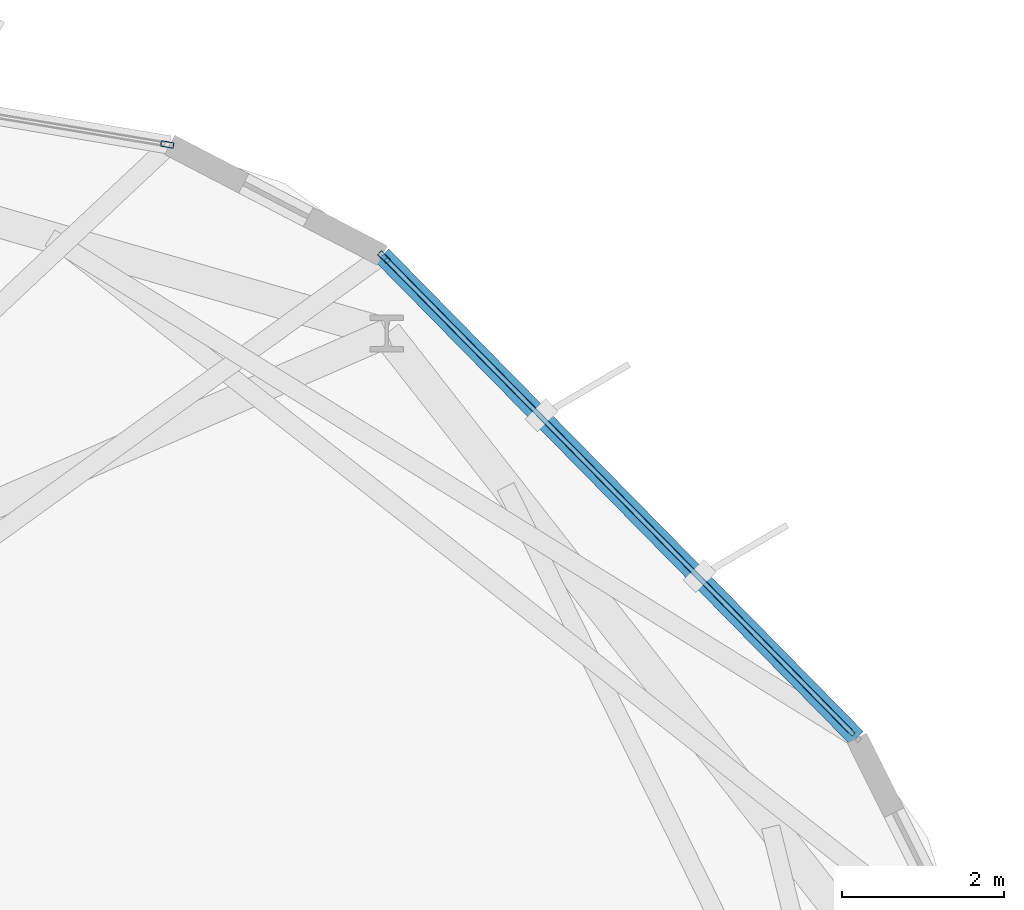
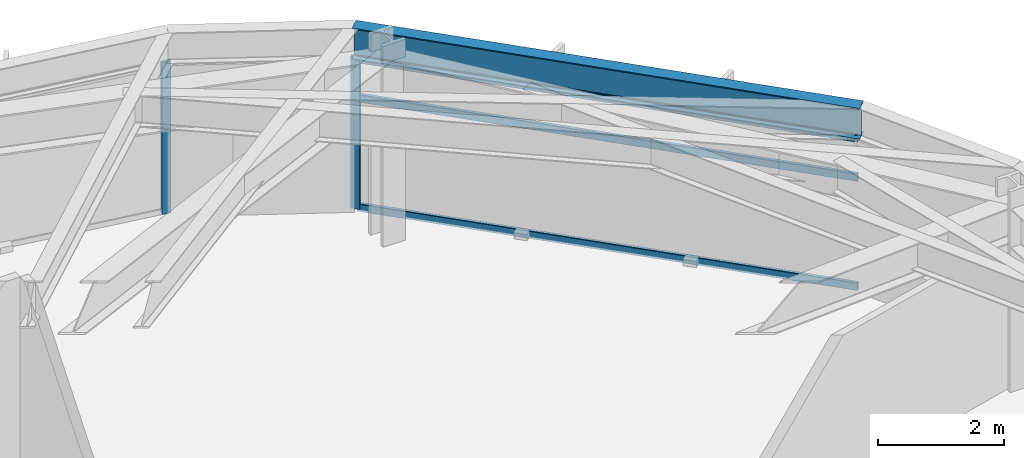
# One storey, part 15 of 22: 5 members, 1 beam, 2 elements without a shape of their own.
"""IFC4 building model written with IfcOpenShell, lengths in metres."""

import ifcopenshell
import ifcopenshell.guid

model = None  # the IFC model being written
_history = None  # IfcOwnerHistory: only IFC2X3 demands one
_inside = {}  # id of a spatial element -> (the spatial element, [elements in it])
_under = {}  # id of a project, library or spatial element -> (it, [spatial elements below it])
_declared = {}  # id of a project -> (the project, [libraries it declares])
_typed = {}  # id of a type object -> (the type object, [elements of that type])
_made_of = {}  # id of a material, layer set ... -> (it, [elements and type objects made of it])


def new_model(schema):
    """Start an empty IFC model of exactly this schema.

    Asked for "IFC4X3", IfcOpenShell would pick the latest addendum, in which some entities
    have other attributes; the version numbers below select the first issue.
    IFC2X3 requires an IfcOwnerHistory on every rooted entity: one is made here for all.
    """
    global model, _history
    if schema == "IFC4X3":
        model = ifcopenshell.file(schema_version=(4, 3, 0, 0))
    else:
        model = ifcopenshell.file(schema=schema)
    _inside.clear()
    _under.clear()
    _declared.clear()
    _typed.clear()
    _made_of.clear()
    _history = None
    if model.schema == "IFC2X3":
        org = make("IfcOrganization", Name="unknown")
        user = make(
            "IfcPersonAndOrganization",
            ThePerson=make("IfcPerson", FamilyName="unknown"),
            TheOrganization=org,
        )
        app = make(
            "IfcApplication",
            ApplicationDeveloper=org,
            Version="unknown",
            ApplicationFullName="unknown",
            ApplicationIdentifier="unknown",
        )
        _history = make(
            "IfcOwnerHistory",
            OwningUser=user,
            OwningApplication=app,
            ChangeAction="ADDED",
            CreationDate=0,
        )
    return model


def make(cls, **values):
    """One entity of the class cls with the attributes given. An attribute that is None is left unset."""
    return model.create_entity(
        cls, **{name: value for name, value in values.items() if value is not None}
    )


def rooted(cls, **values):
    """An entity with a GlobalId (a new one), such as an element, a storey or a relation."""
    return make(cls, GlobalId=ifcopenshell.guid.new(), OwnerHistory=_history, **values)


def si_unit(unit_type, name, prefix=None):
    """IfcSIUnit, for example si_unit("LENGTHUNIT", "METRE", prefix="MILLI")."""
    return make("IfcSIUnit", UnitType=unit_type, Prefix=prefix, Name=name)


def assignment(units):
    """IfcUnitAssignment: the units of a project."""
    return None if units is None else make("IfcUnitAssignment", Units=units)


def point(xyz):
    """IfcCartesianPoint."""
    return None if xyz is None else make("IfcCartesianPoint", Coordinates=xyz)


def direction(xyz):
    """IfcDirection."""
    return None if xyz is None else make("IfcDirection", DirectionRatios=xyz)


def frame(location, z_axis=None, x_axis=None):
    """IfcAxis2Placement3D, a coordinate frame: its origin and axes. An axis left out is left unset."""
    return make(
        "IfcAxis2Placement3D",
        Location=point(location),
        Axis=direction(z_axis),
        RefDirection=direction(x_axis),
    )


def frame_2d(location, x_axis=None):
    """IfcAxis2Placement2D, a coordinate frame in the plane: its origin and x axis."""
    return make(
        "IfcAxis2Placement2D", Location=point(location), RefDirection=direction(x_axis)
    )


def origin():
    """The frame at (0, 0, 0) with its axes left unset."""
    return frame((0.0, 0.0, 0.0))


def origin_2d():
    """The frame at (0, 0) in the plane with its x axis left unset."""
    return frame_2d((0.0, 0.0))


def place(relative_to, where):
    """IfcLocalPlacement: puts the frame where relative to a parent placement (None: the world)."""
    return make(
        "IfcLocalPlacement", PlacementRelTo=relative_to, RelativePlacement=where
    )


def context(
    kind, dimensions, precision=None, world=None, true_north=None, identifier=None
):
    """IfcGeometricRepresentationContext, for example the 3D "Model" context."""
    return make(
        "IfcGeometricRepresentationContext",
        ContextIdentifier=identifier,
        ContextType=kind,
        CoordinateSpaceDimension=dimensions,
        Precision=precision,
        WorldCoordinateSystem=world,
        TrueNorth=true_north,
    )


def subcontext(parent, identifier, kind, view, scale=None):
    """IfcGeometricRepresentationSubContext, for example "Body" below "Model"."""
    return make(
        "IfcGeometricRepresentationSubContext",
        ContextIdentifier=identifier,
        ContextType=kind,
        ParentContext=parent,
        TargetScale=scale,
        TargetView=view,
    )


def project(units=None, contexts=None):
    """IfcProject with its units and contexts."""
    return rooted(
        "IfcProject",
        Name="project",
        RepresentationContexts=contexts,
        UnitsInContext=assignment(units),
    )


def spatial(cls, under=None, at=None, **own):
    """A site, building, storey or space (cls), placed at a placement, below another one or the project."""
    s = rooted(cls, ObjectPlacement=at, **own)
    if under is not None:
        _under.setdefault(under.id(), (under, []))[1].append(s)
    return s


def profile(cls, at=None, kind="AREA", **sizes):
    """A parametric profile (cls). Its sizes go by their IFC names, for example OverallWidth=200.0."""
    return make(cls, ProfileType=kind, Position=at, **sizes)


def hollow_rectangle(**sizes):
    """IfcRectangleHollowProfileDef."""
    return profile("IfcRectangleHollowProfileDef", **sizes)


def i_section(**sizes):
    """IfcIShapeProfileDef."""
    return profile("IfcIShapeProfileDef", **sizes)


def extrude(swept, where, along, depth):
    """IfcExtrudedAreaSolid: the profile swept, set in the frame where, extruded along a direction by depth."""
    return make(
        "IfcExtrudedAreaSolid",
        SweptArea=swept,
        Position=where,
        ExtrudedDirection=direction(along),
        Depth=depth,
    )


def shape(context_of_items, identifier, shape_type, items):
    """IfcShapeRepresentation: the items that make up one representation, for example the "Body"."""
    return make(
        "IfcShapeRepresentation",
        ContextOfItems=context_of_items,
        RepresentationIdentifier=identifier,
        RepresentationType=shape_type,
        Items=items,
    )


def material(Name=None, Category=None):
    """IfcMaterial."""
    return make("IfcMaterial", Name=Name, Category=Category)


def layer(
    of_material, thickness, ventilated=None, Name=None, Category=None, Priority=None
):
    """IfcMaterialLayer: one layer of a wall or slab, of a material (None: an air gap)."""
    return make(
        "IfcMaterialLayer",
        Material=of_material,
        LayerThickness=thickness,
        IsVentilated=ventilated,
        Name=Name,
        Category=Category,
        Priority=Priority,
    )


def layer_set(layers, Name=None):
    """IfcMaterialLayerSet."""
    return make("IfcMaterialLayerSet", MaterialLayers=layers, LayerSetName=Name)


def material_profile(
    of_material, cross_section, Name=None, Category=None, Priority=None
):
    """IfcMaterialProfile: a cross section and its material."""
    return make(
        "IfcMaterialProfile",
        Name=Name,
        Material=of_material,
        Profile=cross_section,
        Priority=Priority,
        Category=Category,
    )


def profile_set(profiles, Name=None, composite=None):
    """IfcMaterialProfileSet."""
    return make(
        "IfcMaterialProfileSet",
        Name=Name,
        MaterialProfiles=profiles,
        CompositeProfile=composite,
    )


def made_of(thing, what):
    """Note that an element or type object is made of a material, layer set ...; save() writes the relation."""
    if what is not None:
        _made_of.setdefault(what.id(), (what, []))[1].append(thing)
    return thing


def type_object(cls, material=None, **own):
    """A type object (cls), such as IfcWallType, which elements share."""
    return made_of(rooted(cls, **own), material)


def element(
    cls,
    number,
    at=None,
    inside=None,
    cuts=None,
    type_object=None,
    material=None,
    context=None,
    identifier="Body",
    shape_type=None,
    held_by="IfcProductDefinitionShape",
    body=None,
    shapes=None,
    **own,
):
    """One element of the class cls, such as IfcWall. Its Tag is "e" and its number.

    at: its placement. inside: the storey or other place that contains it. cuts: it is an
    opening in that element (IfcRelVoidsElement). A single representation is given by context,
    identifier, shape_type and body (its items); several are given by shapes. held_by: the class
    of the entity that holds the representations. save() writes the other relations.
    """
    e = rooted(cls, Tag="e%d" % number, ObjectPlacement=at, **own)
    if body is not None:
        shapes = [shape(context, identifier, shape_type, body)]
    if shapes is not None:
        e.Representation = make(held_by, Representations=shapes)
    if inside is not None:
        _inside.setdefault(inside.id(), (inside, []))[1].append(e)
    if cuts is not None:
        rooted(
            "IfcRelVoidsElement", RelatingBuildingElement=cuts, RelatedOpeningElement=e
        )
    if type_object is not None:
        _typed.setdefault(type_object.id(), (type_object, []))[1].append(e)
    return made_of(e, material)


def aggregate(whole, parts):
    """IfcRelAggregates: a whole, such as a stair, and the parts it consists of."""
    return rooted("IfcRelAggregates", RelatingObject=whole, RelatedObjects=parts)


def save(model, path):
    """Write the relations noted so far, then the file.

    IfcRelAggregates (storeys below a building ...), IfcRelContainedInSpatialStructure (elements
    in a storey), IfcRelDefinesByType, IfcRelAssociatesMaterial and IfcRelDeclares: one each for
    every whole, place, type object, material and project.
    """
    for whole, parts in _under.values():
        aggregate(whole, parts)
    for where, things in _inside.values():
        rooted(
            "IfcRelContainedInSpatialStructure",
            RelatedElements=things,
            RelatingStructure=where,
        )
    for kind, things in _typed.values():
        rooted("IfcRelDefinesByType", RelatedObjects=things, RelatingType=kind)
    for what, things in _made_of.values():
        rooted("IfcRelAssociatesMaterial", RelatedObjects=things, RelatingMaterial=what)
    for by, libraries in _declared.values():
        rooted("IfcRelDeclares", RelatingContext=by, RelatedDefinitions=libraries)
    model.write(path)


model = new_model("IFC4")

# Units and contexts
model_context = context("Model", 3, precision=1e-05, world=origin(), true_north=direction((0.0, 1.0)))
body_context = subcontext(model_context, "Body", "Model", "MODEL_VIEW")
ifc_project = project(units=[si_unit("LENGTHUNIT", "METRE"), si_unit("AREAUNIT", "SQUARE_METRE"), si_unit("VOLUMEUNIT", "CUBIC_METRE"), si_unit("PLANEANGLEUNIT", "RADIAN"), si_unit("MASSUNIT", "GRAM", prefix="KILO")], contexts=[model_context])

# Site, building, storey
site_placement = place(None, origin())
site = spatial("IfcSite", under=ifc_project, at=site_placement, CompositionType="ELEMENT")
building_placement = place(site_placement, origin())
building = spatial("IfcBuilding", under=site, at=building_placement, Name="Soratama Intermodal Tower", CompositionType="ELEMENT")
storey_placement = place(building_placement, frame((0.0, 0.0, 130.300048828125)))
storey = spatial("IfcBuildingStorey", under=building, at=storey_placement, Name="L31", CompositionType="ELEMENT", Elevation=130.300048828125)

# Beam
ifc_material_1 = material(Name="Structural steel ASTM A992 Grade 50", Category="steel")
ifc_material_profile_1 = material_profile(ifc_material_1, i_section(OverallWidth=0.22900390625, OverallDepth=0.612060546875, WebThickness=0.011962890625, FlangeThickness=0.01953125, FilletRadius=0.012939453125, at=origin_2d()), Name="W24X84")
ifc_profile_set_1 = profile_set([ifc_material_profile_1], Name="Structural steel ASTM A992 Grade 50")
beam_type = type_object("IfcBeamType", Name="BM-SPN-W24X84", PredefinedType="SPANDREL", material=ifc_profile_set_1)
beam_placement = place(storey_placement, frame((60.549072265625, 34.4169921875, 3.25390625), z_axis=(-0.701179714577, 0.71298457758, 0.0), x_axis=(-0.71298457758, -0.701179714577, 0.0)))
element("IfcBeam", 1, at=beam_placement, inside=storey, type_object=beam_type, Name="BS-L31-F01", PredefinedType="SPANDREL", context=body_context, shape_type="SweptSolid", body=[
    extrude(i_section(OverallWidth=0.22900390625, OverallDepth=0.612060546875, WebThickness=0.011962890625, FlangeThickness=0.01953125, FilletRadius=0.012939453125, at=origin_2d()), origin(), (0.0, 0.0, 1.0), 8.3759765625),
])

# Curtain wall, member
ifc_material_2 = material(Name="Double-glazed aluminium curtain wall", Category="aluminium")
ifc_layer = layer(ifc_material_2, 0.159912109375)
ifc_layer_set = layer_set([ifc_layer], Name="Double-glazed aluminium curtain wall")
curtain_wall_type = type_object("IfcCurtainWallType", Name="CW-SYS-3", PredefinedType="NOTDEFINED", material=ifc_layer_set)
curtain_wall_1_placement = place(storey_placement, origin())
curtain_wall_1 = element("IfcCurtainWall", 2, at=curtain_wall_1_placement, inside=storey, type_object=curtain_wall_type, Name="L31 Faceted Curtain Wall F01", PredefinedType="NOTDEFINED")
ifc_material_3 = material(Name="Anodised aluminium AA 6063-T6", Category="aluminium")
ifc_material_profile_2 = material_profile(ifc_material_3, hollow_rectangle(XDim=0.070068359375, YDim=0.159912109375, WallThickness=0.0048828125, InnerFilletRadius=0.0048828125, OuterFilletRadius=0.010009765625, at=origin_2d()), Name="CWM160X70X5")
ifc_profile_set_2 = profile_set([ifc_material_profile_2], Name="Anodised aluminium AA 6063-T6")
member_type_1 = type_object("IfcMemberType", Name="MT-CWM-3", PredefinedType="MULLION", material=ifc_profile_set_2)
member_1_placement = place(storey_placement, frame((54.697265625, 40.367919921875, 0.0), z_axis=(0.0, 0.0, 1.0), x_axis=(-0.713009454838, -0.701154417594, 0.0)))
member_1 = element("IfcMember", 3, at=member_1_placement, type_object=member_type_1, Name="CW-3 mullion 2", PredefinedType="MULLION", context=body_context, shape_type="SweptSolid", body=[
    extrude(hollow_rectangle(XDim=0.070068359375, YDim=0.159912109375, WallThickness=0.0048828125, InnerFilletRadius=0.0048828125, OuterFilletRadius=0.010009765625, at=origin_2d()), origin(), (0.0, 0.0, 1.0), 2.93896484375),
])

curtain_wall_2_placement = place(storey_placement, origin())
curtain_wall_2 = element("IfcCurtainWall", 4, at=curtain_wall_2_placement, inside=storey, type_object=curtain_wall_type, Name="L31 Faceted Curtain Wall F02", PredefinedType="NOTDEFINED")
member_2_placement = place(storey_placement, frame((52.014892578125, 41.76318359375, 0.0), z_axis=(0.0, 0.0, 1.0), x_axis=(-0.164704865587, -0.986342895373, 0.0)))
member_2 = element("IfcMember", 5, at=member_2_placement, type_object=member_type_1, Name="CW-3 mullion 1", PredefinedType="MULLION", context=body_context, shape_type="SweptSolid", body=[
    extrude(hollow_rectangle(XDim=0.070068359375, YDim=0.159912109375, WallThickness=0.0048828125, InnerFilletRadius=0.0048828125, OuterFilletRadius=0.010009765625, at=origin_2d()), origin(), (0.0, 0.0, 1.0), 2.93896484375),
])
aggregate(curtain_wall_2, [member_2])

# Member
ifc_material_4 = material(Name="Anodised aluminium AA 6063-T6", Category="aluminium")
ifc_material_profile_3 = material_profile(ifc_material_4, hollow_rectangle(XDim=0.06494140625, YDim=0.14990234375, WallThickness=0.0048828125, InnerFilletRadius=0.0048828125, OuterFilletRadius=0.010009765625, at=origin_2d()), Name="CWT150X65X5")
ifc_profile_set_3 = profile_set([ifc_material_profile_3], Name="Anodised aluminium AA 6063-T6")
member_type_2 = type_object("IfcMemberType", Name="TT-CWT-1", PredefinedType="USERDEFINED", material=ifc_profile_set_3)
member_3_placement = place(storey_placement, frame((60.50732421875, 34.4599609375, 0.030029296875), z_axis=(-0.701168013915, 0.712996084325, 0.0), x_axis=(-0.712996084325, -0.701168013915, 0.0)))
member_3 = element("IfcMember", 6, at=member_3_placement, type_object=member_type_2, Name="CW-3 transom 1.1", ObjectType="TRANSOM", PredefinedType="USERDEFINED", context=body_context, shape_type="SweptSolid", body=[
    extrude(hollow_rectangle(XDim=0.06494140625, YDim=0.14990234375, WallThickness=0.0048828125, InnerFilletRadius=0.0048828125, OuterFilletRadius=0.010009765625, at=origin_2d()), origin(), (0.0, 0.0, 1.0), 8.25634765625),
])

member_4_placement = place(storey_placement, frame((60.50732421875, 34.4599609375, 2.14990234375), z_axis=(-0.701168013915, 0.712996084325, 0.0), x_axis=(-0.712996084325, -0.701168013915, 0.0)))
member_4 = element("IfcMember", 7, at=member_4_placement, type_object=member_type_2, Name="CW-3 transom 1.2", ObjectType="TRANSOM", PredefinedType="USERDEFINED", context=body_context, shape_type="SweptSolid", body=[
    extrude(hollow_rectangle(XDim=0.06494140625, YDim=0.14990234375, WallThickness=0.0048828125, InnerFilletRadius=0.0048828125, OuterFilletRadius=0.010009765625, at=origin_2d()), origin(), (0.0, 0.0, 1.0), 8.25634765625),
])

member_5_placement = place(storey_placement, frame((60.50732421875, 34.4599609375, 2.908935546875), z_axis=(-0.701168013915, 0.712996084325, 0.0), x_axis=(-0.712996084325, -0.701168013915, 0.0)))
member_5 = element("IfcMember", 8, at=member_5_placement, type_object=member_type_2, Name="CW-3 transom 1.3", ObjectType="TRANSOM", PredefinedType="USERDEFINED", context=body_context, shape_type="SweptSolid", body=[
    extrude(hollow_rectangle(XDim=0.06494140625, YDim=0.14990234375, WallThickness=0.0048828125, InnerFilletRadius=0.0048828125, OuterFilletRadius=0.010009765625, at=origin_2d()), origin(), (0.0, 0.0, 1.0), 8.25634765625),
])

aggregate(curtain_wall_1, [member_1, member_3, member_4, member_5])

save(model, "model.ifc")
